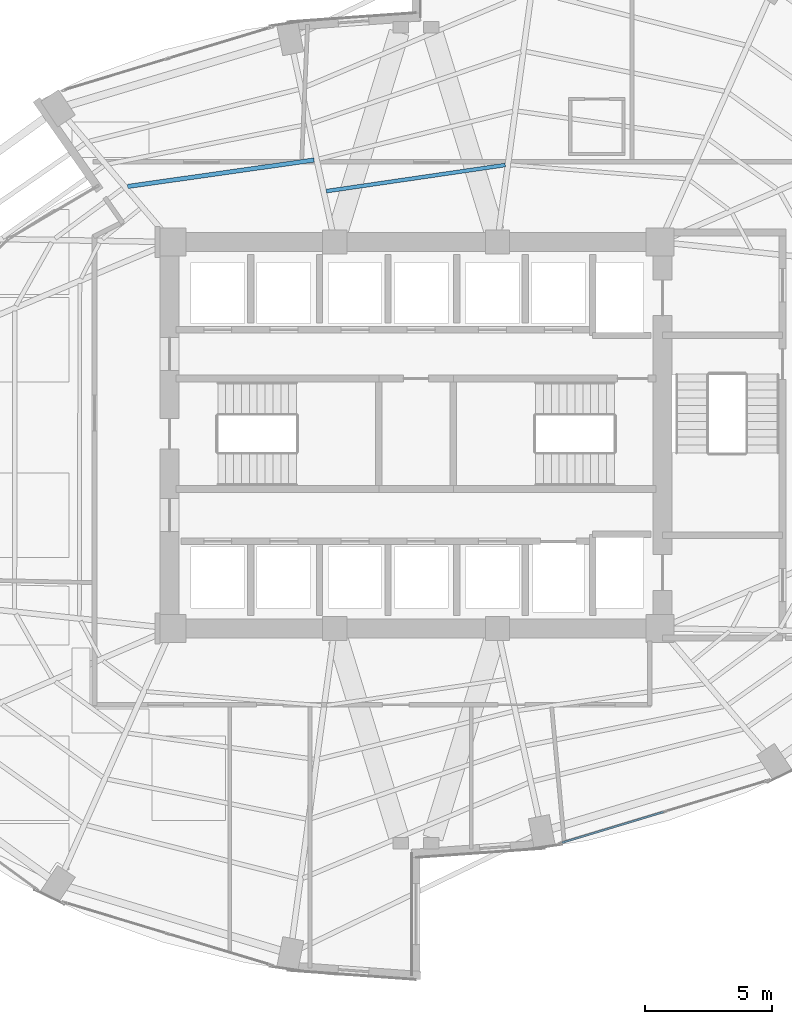
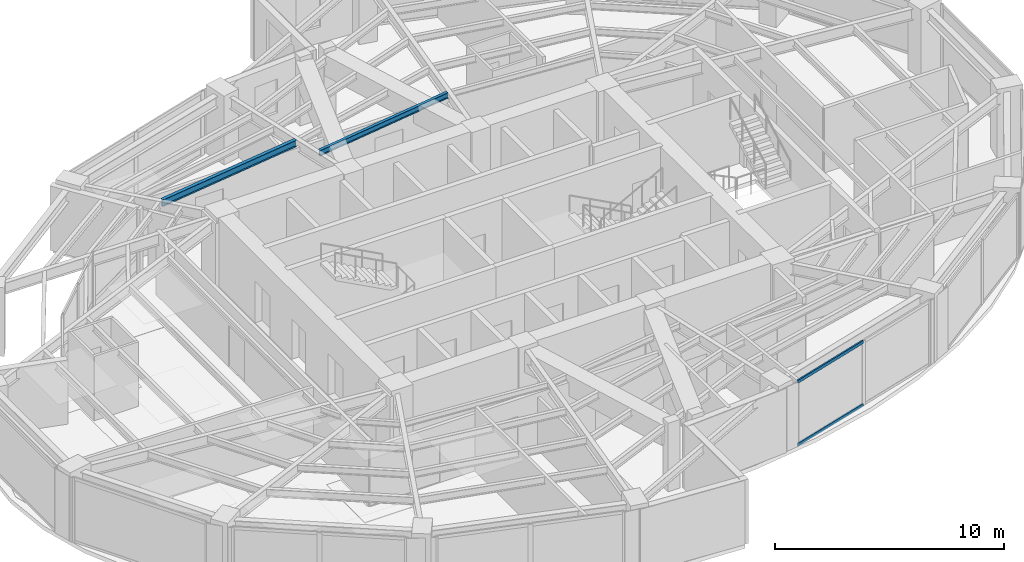
# One storey, part 10 of 24: 2 beams, 2 members, 1 element without a shape of its own.
"""IFC4 building model written with IfcOpenShell, lengths in metres."""

from ifc_helpers import new_model, si_unit, direction, frame, origin, origin_2d, place, context, subcontext, project, spatial, hollow_rectangle, i_section, extrude, material, layer, layer_set, material_profile, profile_set, type_object, element, aggregate, save


model = new_model("IFC4")

# Units and contexts
model_context = context("Model", 3, precision=1e-05, world=origin(), true_north=direction((0.0, 1.0)))
body_context = subcontext(model_context, "Body", "Model", "MODEL_VIEW")
ifc_project = project(units=[si_unit("LENGTHUNIT", "METRE"), si_unit("AREAUNIT", "SQUARE_METRE"), si_unit("VOLUMEUNIT", "CUBIC_METRE"), si_unit("PLANEANGLEUNIT", "RADIAN"), si_unit("MASSUNIT", "GRAM", prefix="KILO")], contexts=[model_context])

# Site, building, storey
site_placement = place(None, origin())
site = spatial("IfcSite", under=ifc_project, at=site_placement, CompositionType="ELEMENT")
building_placement = place(site_placement, origin())
building = spatial("IfcBuilding", under=site, at=building_placement, Name="Lazwardi Medical Tower", CompositionType="ELEMENT")
storey_placement = place(building_placement, frame((0.0, 0.0, 118.22412109375)))
storey = spatial("IfcBuildingStorey", under=building, at=storey_placement, Name="L30", CompositionType="ELEMENT", Elevation=118.22412109375)

# Beams
ifc_material_1 = material(Name="Steel S355", Category="steel")
ifc_material_profile_1 = material_profile(ifc_material_1, i_section(OverallWidth=0.169921875, OverallDepth=0.360107421875, WebThickness=0.008056640625, FlangeThickness=0.0126953125, at=origin_2d()), Name="IPE 360")
ifc_profile_set_1 = profile_set([ifc_material_profile_1], Name="Steel S355")
beam_type_1 = type_object("IfcBeamType", Name="BM-SJ-02", PredefinedType="JOIST", material=ifc_profile_set_1)
beam_1_placement = place(storey_placement, frame((31.988525390625, 38.8271484375, 3.247802734375), z_axis=(-0.990067108571, -0.140595592128, 0.0), x_axis=(0.140595592128, -0.990067108571, 0.0)))
element("IfcBeam", 1, at=beam_1_placement, inside=storey, type_object=beam_type_1, Name="Secondary joist SJ-02 R3 B09 L30", PredefinedType="JOIST", context=body_context, shape_type="SweptSolid", body=[
    extrude(i_section(OverallWidth=0.169921875, OverallDepth=0.360107421875, WebThickness=0.008056640625, FlangeThickness=0.0126953125, at=origin_2d()), origin(), (0.0, 0.0, 1.0), 7.409423828125),
])
ifc_material_profile_2 = material_profile(ifc_material_1, i_section(OverallWidth=0.14990234375, OverallDepth=0.300048828125, WebThickness=0.007080078125, FlangeThickness=0.0107421875, at=origin_2d()), Name="IPE 300")
ifc_profile_set_2 = profile_set([ifc_material_profile_2], Name="Steel S355")
beam_type_2 = type_object("IfcBeamType", Name="BM-SJ-03", PredefinedType="JOIST", material=ifc_profile_set_2)
beam_2_placement = place(storey_placement, frame((39.511474609375, 38.62939453125, 3.27783203125), z_axis=(-0.98949221477, -0.144586157392, 0.0), x_axis=(0.144586157392, -0.98949221477, 0.0)))
element("IfcBeam", 2, at=beam_2_placement, inside=storey, type_object=beam_type_2, Name="Secondary joist SJ-03 R4 B08 L30", PredefinedType="JOIST", context=body_context, shape_type="SweptSolid", body=[
    extrude(i_section(OverallWidth=0.14990234375, OverallDepth=0.300048828125, WebThickness=0.007080078125, FlangeThickness=0.0107421875, at=origin_2d()), origin(), (0.0, 0.0, 1.0), 7.115478515625),
])

# Curtain wall, members
ifc_material_2 = material(Name="Anodised bronze aluminium and solar control glazing", Category="aluminium")
ifc_layer = layer(ifc_material_2, 0.195068359375)
ifc_layer_set = layer_set([ifc_layer], Name="Anodised bronze aluminium and solar control glazing")
curtain_wall_type = type_object("IfcCurtainWallType", Name="CW-SYS-03", PredefinedType="NOTDEFINED", material=ifc_layer_set)
curtain_wall_placement = place(storey_placement, origin())
curtain_wall = element("IfcCurtainWall", 3, at=curtain_wall_placement, inside=storey, type_object=curtain_wall_type, Name="L30 Unitised bronze curtain wall CW-03", PredefinedType="NOTDEFINED")
ifc_material_3 = material(Name="Anodised bronze aluminium", Category="aluminium")
ifc_material_profile_3 = material_profile(ifc_material_3, hollow_rectangle(XDim=0.074951171875, YDim=0.159912109375, WallThickness=0.00390625, at=origin_2d()), Name="ALU-TRANSOM 160x75x4")
ifc_profile_set_3 = profile_set([ifc_material_profile_3], Name="Anodised bronze aluminium")
member_type = type_object("IfcMemberType", Name="CW-TRN-01", PredefinedType="USERDEFINED", material=ifc_profile_set_3)
member_1_placement = place(storey_placement, frame((41.74609375, 11.970703125, 0.037353515625), z_axis=(0.957220865985, 0.289358279168, 0.0), x_axis=(-0.289358279168, 0.957220865985, 0.0)))
member_1 = element("IfcMember", 4, at=member_1_placement, type_object=member_type, Name="CW-03 transom 1.1", ObjectType="TRANSOM", PredefinedType="USERDEFINED", context=body_context, shape_type="SweptSolid", body=[
    extrude(hollow_rectangle(XDim=0.074951171875, YDim=0.159912109375, WallThickness=0.00390625, at=origin_2d()), origin(), (0.0, 0.0, 1.0), 4.16552734375),
])
member_2_placement = place(storey_placement, frame((41.74609375, 11.970703125, 3.390380859375), z_axis=(0.957220865985, 0.289358279168, 0.0), x_axis=(-0.289358279168, 0.957220865985, 0.0)))
member_2 = element("IfcMember", 5, at=member_2_placement, type_object=member_type, Name="CW-03 transom 1.2", ObjectType="TRANSOM", PredefinedType="USERDEFINED", context=body_context, shape_type="SweptSolid", body=[
    extrude(hollow_rectangle(XDim=0.074951171875, YDim=0.159912109375, WallThickness=0.00390625, at=origin_2d()), origin(), (0.0, 0.0, 1.0), 4.16552734375),
])
aggregate(curtain_wall, [member_1, member_2])

save(model, "model.ifc")
